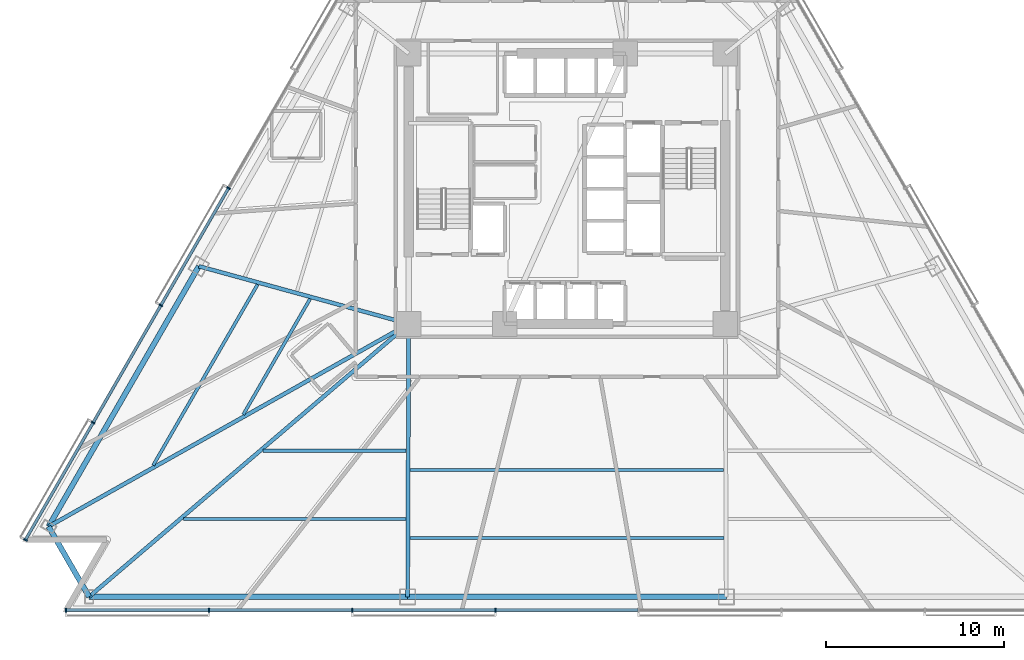
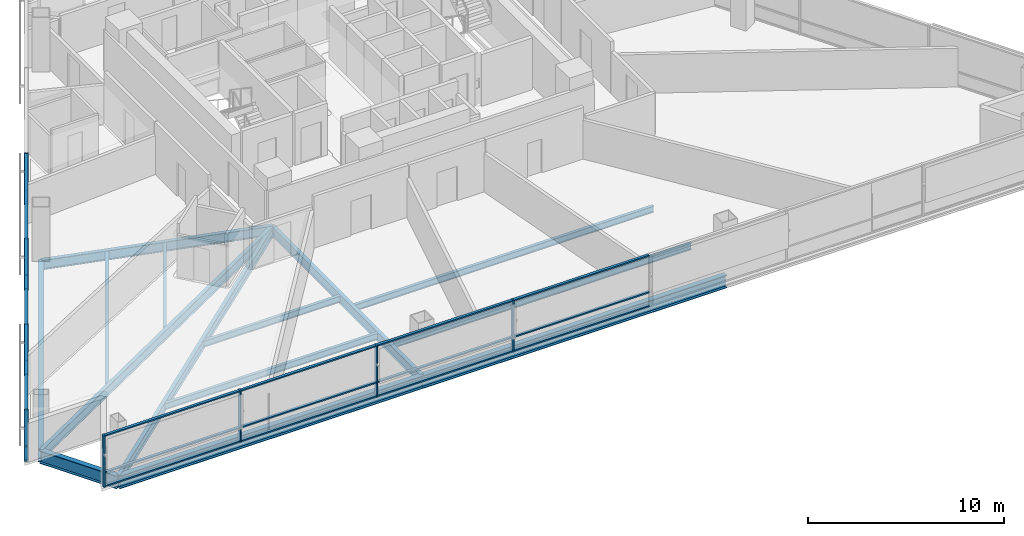
# One storey, part 2 of 16: 29 members, 14 beams, 2 elements without a shape of their own.
"""IFC4 building model written with IfcOpenShell, lengths in metres."""

from ifc_helpers import new_model, si_unit, direction, frame, origin, origin_2d, place, context, subcontext, project, spatial, rectangle, i_section, extrude, material, layer, layer_set, material_profile, profile_set, type_object, element, aggregate, save


model = new_model("IFC4")

# Units and contexts
model_context = context("Model", 3, precision=1e-05, world=origin(), true_north=direction((0.0, 1.0)))
body_context = subcontext(model_context, "Body", "Model", "MODEL_VIEW")
ifc_project = project(units=[si_unit("LENGTHUNIT", "METRE"), si_unit("AREAUNIT", "SQUARE_METRE"), si_unit("VOLUMEUNIT", "CUBIC_METRE"), si_unit("PLANEANGLEUNIT", "RADIAN"), si_unit("MASSUNIT", "GRAM", prefix="KILO")], contexts=[model_context])

# Site, building, storey
site_placement = place(None, origin())
site = spatial("IfcSite", under=ifc_project, at=site_placement, CompositionType="ELEMENT")
building_placement = place(site_placement, origin())
building = spatial("IfcBuilding", under=site, at=building_placement, Name="Tharavind Bronze Gate", CompositionType="ELEMENT")
storey_placement = place(building_placement, frame((0.0, 0.0, 45.449951171875)))
storey = spatial("IfcBuildingStorey", under=building, at=storey_placement, Name="L10", CompositionType="ELEMENT", Elevation=45.449951171875)

# Curtain wall, members
ifc_material_1 = material(Name="Anodised Bronze Aluminium", Category="aluminium")
ifc_layer = layer(ifc_material_1, 0.219970703125)
ifc_layer_set = layer_set([ifc_layer], Name="Anodised Bronze Aluminium")
curtain_wall_type = type_object("IfcCurtainWallType", Name="UNITISED CURTAIN WALL HOTEL", PredefinedType="USERDEFINED", material=ifc_layer_set)
curtain_wall_1_placement = place(storey_placement, origin())
curtain_wall_1 = element("IfcCurtainWall", 1, at=curtain_wall_1_placement, inside=storey, type_object=curtain_wall_type, Name="L10 unitised curtain wall hotel CW-L10-S1", ObjectType="UNITISED CURTAIN WALL", PredefinedType="USERDEFINED")
member_type_1 = type_object("IfcMemberType", Name="CURTAIN WALL MULLION 80X220", PredefinedType="MULLION", material=ifc_material_1)
member_1_placement = place(storey_placement, frame((-19.031982421875, 0.035888671875, 0.0), z_axis=(0.0, 0.0, 1.0), x_axis=(-0.500001511499, -0.866024531118, 0.0)))
member_1 = element("IfcMember", 2, at=member_1_placement, type_object=member_type_1, Name="CW-L10-S1 mullion 5", PredefinedType="MULLION", context=body_context, shape_type="SweptSolid", body=[
    extrude(rectangle(XDim=0.080078125, YDim=0.219970703125, at=origin_2d()), origin(), (0.0, 0.0, 1.0), 3.22509765625),
])
member_2_placement = place(storey_placement, frame((-22.83984375, -6.559814453125, 0.0), z_axis=(0.0, 0.0, 1.0), x_axis=(-0.500001511499, -0.866024531118, 0.0)))
member_2 = element("IfcMember", 3, at=member_2_placement, type_object=member_type_1, Name="CW-L10-S1 mullion 6", PredefinedType="MULLION", context=body_context, shape_type="SweptSolid", body=[
    extrude(rectangle(XDim=0.080078125, YDim=0.219970703125, at=origin_2d()), origin(), (0.0, 0.0, 1.0), 3.22509765625),
])
member_3_placement = place(storey_placement, frame((-26.647705078125, -13.1552734375, 0.0), z_axis=(0.0, 0.0, 1.0), x_axis=(-0.500001511499, -0.866024531118, 0.0)))
member_3 = element("IfcMember", 4, at=member_3_placement, type_object=member_type_1, Name="CW-L10-S1 mullion 7", PredefinedType="MULLION", context=body_context, shape_type="SweptSolid", body=[
    extrude(rectangle(XDim=0.080078125, YDim=0.219970703125, at=origin_2d()), origin(), (0.0, 0.0, 1.0), 3.22509765625),
])
member_4_placement = place(storey_placement, frame((-30.455810546875, -19.7509765625, 0.0), z_axis=(0.0, 0.0, 1.0), x_axis=(-0.500001511499, -0.866024531118, 0.0)))
member_4 = element("IfcMember", 5, at=member_4_placement, type_object=member_type_1, Name="CW-L10-S1 mullion 8", PredefinedType="MULLION", context=body_context, shape_type="SweptSolid", body=[
    extrude(rectangle(XDim=0.080078125, YDim=0.219970703125, at=origin_2d()), origin(), (0.0, 0.0, 1.0), 3.22509765625),
])

curtain_wall_2_placement = place(storey_placement, origin())
curtain_wall_2 = element("IfcCurtainWall", 6, at=curtain_wall_2_placement, inside=storey, type_object=curtain_wall_type, Name="L10 unitised curtain wall hotel CW-L10-S2", ObjectType="UNITISED CURTAIN WALL", PredefinedType="USERDEFINED")
member_5_placement = place(storey_placement, frame((-28.17578125, -23.699951171875, 0.0), z_axis=(0.0, 0.0, 1.0), x_axis=(1.0, 0.0, 0.0)))
member_5 = element("IfcMember", 7, at=member_5_placement, type_object=member_type_1, Name="CW-L10-S2 mullion 1", PredefinedType="MULLION", context=body_context, shape_type="SweptSolid", body=[
    extrude(rectangle(XDim=0.080078125, YDim=0.219970703125, at=origin_2d()), origin(), (0.0, 0.0, 1.0), 3.22509765625),
])
member_6_placement = place(storey_placement, frame((-20.12548828125, -23.699951171875, 0.0), z_axis=(0.0, 0.0, 1.0), x_axis=(1.0, 0.0, 0.0)))
member_6 = element("IfcMember", 8, at=member_6_placement, type_object=member_type_1, Name="CW-L10-S2 mullion 2", PredefinedType="MULLION", context=body_context, shape_type="SweptSolid", body=[
    extrude(rectangle(XDim=0.080078125, YDim=0.219970703125, at=origin_2d()), origin(), (0.0, 0.0, 1.0), 3.22509765625),
])
member_7_placement = place(storey_placement, frame((-12.0751953125, -23.699951171875, 0.0), z_axis=(0.0, 0.0, 1.0), x_axis=(1.0, 0.0, 0.0)))
member_7 = element("IfcMember", 9, at=member_7_placement, type_object=member_type_1, Name="CW-L10-S2 mullion 3", PredefinedType="MULLION", context=body_context, shape_type="SweptSolid", body=[
    extrude(rectangle(XDim=0.080078125, YDim=0.219970703125, at=origin_2d()), origin(), (0.0, 0.0, 1.0), 3.22509765625),
])
member_8_placement = place(storey_placement, frame((-4.025146484375, -23.699951171875, 0.0), z_axis=(0.0, 0.0, 1.0), x_axis=(1.0, 0.0, 0.0)))
member_8 = element("IfcMember", 10, at=member_8_placement, type_object=member_type_1, Name="CW-L10-S2 mullion 4", PredefinedType="MULLION", context=body_context, shape_type="SweptSolid", body=[
    extrude(rectangle(XDim=0.080078125, YDim=0.219970703125, at=origin_2d()), origin(), (0.0, 0.0, 1.0), 3.22509765625),
])

# Member
member_type_2 = type_object("IfcMemberType", Name="CURTAIN WALL TRANSOM 80X160", PredefinedType="USERDEFINED", material=ifc_material_1)
member_9_placement = place(storey_placement, frame((-20.935791015625, -3.261962890625, 0.0), z_axis=(0.0, 0.0, 1.0), x_axis=(-0.500001511499, -0.866024531118, 0.0)))
member_9 = element("IfcMember", 11, at=member_9_placement, type_object=member_type_2, Name="CW-L10-S1 transom TB5", ObjectType="TRANSOM", PredefinedType="USERDEFINED", context=body_context, shape_type="SweptSolid", body=[
    extrude(rectangle(XDim=7.5478515625, YDim=0.159912109375, at=origin_2d()), origin(), (0.0, 0.0, 1.0), 0.080078125),
])

member_10_placement = place(storey_placement, frame((-20.935791015625, -3.261962890625, 0.860107421875), z_axis=(0.0, 0.0, 1.0), x_axis=(-0.500001511499, -0.866024531118, 0.0)))
member_10 = element("IfcMember", 12, at=member_10_placement, type_object=member_type_2, Name="CW-L10-S1 transom TS5", ObjectType="TRANSOM", PredefinedType="USERDEFINED", context=body_context, shape_type="SweptSolid", body=[
    extrude(rectangle(XDim=7.5478515625, YDim=0.159912109375, at=origin_2d()), origin(), (0.0, 0.0, 1.0), 0.080078125),
])

member_11_placement = place(storey_placement, frame((-20.935791015625, -3.261962890625, 3.14501953125), z_axis=(0.0, 0.0, 1.0), x_axis=(-0.500001511499, -0.866024531118, 0.0)))
member_11 = element("IfcMember", 13, at=member_11_placement, type_object=member_type_2, Name="CW-L10-S1 transom TT5", ObjectType="TRANSOM", PredefinedType="USERDEFINED", context=body_context, shape_type="SweptSolid", body=[
    extrude(rectangle(XDim=7.5478515625, YDim=0.159912109375, at=origin_2d()), origin(), (0.0, 0.0, 1.0), 0.080078125),
])

member_12_placement = place(storey_placement, frame((-24.743896484375, -9.857421875, 0.0), z_axis=(0.0, 0.0, 1.0), x_axis=(-0.500001511499, -0.866024531118, 0.0)))
member_12 = element("IfcMember", 14, at=member_12_placement, type_object=member_type_2, Name="CW-L10-S1 transom TB6", ObjectType="TRANSOM", PredefinedType="USERDEFINED", context=body_context, shape_type="SweptSolid", body=[
    extrude(rectangle(XDim=7.5478515625, YDim=0.159912109375, at=origin_2d()), origin(), (0.0, 0.0, 1.0), 0.080078125),
])

member_13_placement = place(storey_placement, frame((-24.743896484375, -9.857421875, 0.860107421875), z_axis=(0.0, 0.0, 1.0), x_axis=(-0.500001511499, -0.866024531118, 0.0)))
member_13 = element("IfcMember", 15, at=member_13_placement, type_object=member_type_2, Name="CW-L10-S1 transom TS6", ObjectType="TRANSOM", PredefinedType="USERDEFINED", context=body_context, shape_type="SweptSolid", body=[
    extrude(rectangle(XDim=7.5478515625, YDim=0.159912109375, at=origin_2d()), origin(), (0.0, 0.0, 1.0), 0.080078125),
])

member_14_placement = place(storey_placement, frame((-24.743896484375, -9.857421875, 3.14501953125), z_axis=(0.0, 0.0, 1.0), x_axis=(-0.500001511499, -0.866024531118, 0.0)))
member_14 = element("IfcMember", 16, at=member_14_placement, type_object=member_type_2, Name="CW-L10-S1 transom TT6", ObjectType="TRANSOM", PredefinedType="USERDEFINED", context=body_context, shape_type="SweptSolid", body=[
    extrude(rectangle(XDim=7.5478515625, YDim=0.159912109375, at=origin_2d()), origin(), (0.0, 0.0, 1.0), 0.080078125),
])

member_15_placement = place(storey_placement, frame((-28.5517578125, -16.453125, 0.0), z_axis=(0.0, 0.0, 1.0), x_axis=(-0.500001511499, -0.866024531118, 0.0)))
member_15 = element("IfcMember", 17, at=member_15_placement, type_object=member_type_2, Name="CW-L10-S1 transom TB7", ObjectType="TRANSOM", PredefinedType="USERDEFINED", context=body_context, shape_type="SweptSolid", body=[
    extrude(rectangle(XDim=7.5478515625, YDim=0.159912109375, at=origin_2d()), origin(), (0.0, 0.0, 1.0), 0.080078125),
])

member_16_placement = place(storey_placement, frame((-28.5517578125, -16.453125, 0.860107421875), z_axis=(0.0, 0.0, 1.0), x_axis=(-0.500001511499, -0.866024531118, 0.0)))
member_16 = element("IfcMember", 18, at=member_16_placement, type_object=member_type_2, Name="CW-L10-S1 transom TS7", ObjectType="TRANSOM", PredefinedType="USERDEFINED", context=body_context, shape_type="SweptSolid", body=[
    extrude(rectangle(XDim=7.5478515625, YDim=0.159912109375, at=origin_2d()), origin(), (0.0, 0.0, 1.0), 0.080078125),
])

member_17_placement = place(storey_placement, frame((-28.5517578125, -16.453125, 3.14501953125), z_axis=(0.0, 0.0, 1.0), x_axis=(-0.500001511499, -0.866024531118, 0.0)))
member_17 = element("IfcMember", 19, at=member_17_placement, type_object=member_type_2, Name="CW-L10-S1 transom TT7", ObjectType="TRANSOM", PredefinedType="USERDEFINED", context=body_context, shape_type="SweptSolid", body=[
    extrude(rectangle(XDim=7.5478515625, YDim=0.159912109375, at=origin_2d()), origin(), (0.0, 0.0, 1.0), 0.080078125),
])

aggregate(curtain_wall_1, [member_1, member_2, member_3, member_4, member_9, member_10, member_11, member_12, member_13, member_14, member_15, member_16, member_17])

member_18_placement = place(storey_placement, frame((-24.150634765625, -23.699951171875, 0.0), z_axis=(0.0, 0.0, 1.0), x_axis=(1.0, 0.0, 0.0)))
member_18 = element("IfcMember", 20, at=member_18_placement, type_object=member_type_2, Name="CW-L10-S2 transom TB1", ObjectType="TRANSOM", PredefinedType="USERDEFINED", context=body_context, shape_type="SweptSolid", body=[
    extrude(rectangle(XDim=7.982177734375, YDim=0.159912109375, at=origin_2d()), origin(), (0.0, 0.0, 1.0), 0.080078125),
])

member_19_placement = place(storey_placement, frame((-24.150634765625, -23.699951171875, 0.860107421875), z_axis=(0.0, 0.0, 1.0), x_axis=(1.0, 0.0, 0.0)))
member_19 = element("IfcMember", 21, at=member_19_placement, type_object=member_type_2, Name="CW-L10-S2 transom TS1", ObjectType="TRANSOM", PredefinedType="USERDEFINED", context=body_context, shape_type="SweptSolid", body=[
    extrude(rectangle(XDim=7.982177734375, YDim=0.159912109375, at=origin_2d()), origin(), (0.0, 0.0, 1.0), 0.080078125),
])

member_20_placement = place(storey_placement, frame((-24.150634765625, -23.699951171875, 3.14501953125), z_axis=(0.0, 0.0, 1.0), x_axis=(1.0, 0.0, 0.0)))
member_20 = element("IfcMember", 22, at=member_20_placement, type_object=member_type_2, Name="CW-L10-S2 transom TT1", ObjectType="TRANSOM", PredefinedType="USERDEFINED", context=body_context, shape_type="SweptSolid", body=[
    extrude(rectangle(XDim=7.982177734375, YDim=0.159912109375, at=origin_2d()), origin(), (0.0, 0.0, 1.0), 0.080078125),
])

member_21_placement = place(storey_placement, frame((-16.1005859375, -23.699951171875, 0.0), z_axis=(0.0, 0.0, 1.0), x_axis=(1.0, 0.0, 0.0)))
member_21 = element("IfcMember", 23, at=member_21_placement, type_object=member_type_2, Name="CW-L10-S2 transom TB2", ObjectType="TRANSOM", PredefinedType="USERDEFINED", context=body_context, shape_type="SweptSolid", body=[
    extrude(rectangle(XDim=7.982177734375, YDim=0.159912109375, at=origin_2d()), origin(), (0.0, 0.0, 1.0), 0.080078125),
])

member_22_placement = place(storey_placement, frame((-16.1005859375, -23.699951171875, 0.860107421875), z_axis=(0.0, 0.0, 1.0), x_axis=(1.0, 0.0, 0.0)))
member_22 = element("IfcMember", 24, at=member_22_placement, type_object=member_type_2, Name="CW-L10-S2 transom TS2", ObjectType="TRANSOM", PredefinedType="USERDEFINED", context=body_context, shape_type="SweptSolid", body=[
    extrude(rectangle(XDim=7.982177734375, YDim=0.159912109375, at=origin_2d()), origin(), (0.0, 0.0, 1.0), 0.080078125),
])

member_23_placement = place(storey_placement, frame((-16.1005859375, -23.699951171875, 3.14501953125), z_axis=(0.0, 0.0, 1.0), x_axis=(1.0, 0.0, 0.0)))
member_23 = element("IfcMember", 25, at=member_23_placement, type_object=member_type_2, Name="CW-L10-S2 transom TT2", ObjectType="TRANSOM", PredefinedType="USERDEFINED", context=body_context, shape_type="SweptSolid", body=[
    extrude(rectangle(XDim=7.982177734375, YDim=0.159912109375, at=origin_2d()), origin(), (0.0, 0.0, 1.0), 0.080078125),
])

member_24_placement = place(storey_placement, frame((-8.05029296875, -23.699951171875, 0.0), z_axis=(0.0, 0.0, 1.0), x_axis=(1.0, 0.0, 0.0)))
member_24 = element("IfcMember", 26, at=member_24_placement, type_object=member_type_2, Name="CW-L10-S2 transom TB3", ObjectType="TRANSOM", PredefinedType="USERDEFINED", context=body_context, shape_type="SweptSolid", body=[
    extrude(rectangle(XDim=7.982177734375, YDim=0.159912109375, at=origin_2d()), origin(), (0.0, 0.0, 1.0), 0.080078125),
])

member_25_placement = place(storey_placement, frame((-8.05029296875, -23.699951171875, 0.860107421875), z_axis=(0.0, 0.0, 1.0), x_axis=(1.0, 0.0, 0.0)))
member_25 = element("IfcMember", 27, at=member_25_placement, type_object=member_type_2, Name="CW-L10-S2 transom TS3", ObjectType="TRANSOM", PredefinedType="USERDEFINED", context=body_context, shape_type="SweptSolid", body=[
    extrude(rectangle(XDim=7.982177734375, YDim=0.159912109375, at=origin_2d()), origin(), (0.0, 0.0, 1.0), 0.080078125),
])

member_26_placement = place(storey_placement, frame((-8.05029296875, -23.699951171875, 3.14501953125), z_axis=(0.0, 0.0, 1.0), x_axis=(1.0, 0.0, 0.0)))
member_26 = element("IfcMember", 28, at=member_26_placement, type_object=member_type_2, Name="CW-L10-S2 transom TT3", ObjectType="TRANSOM", PredefinedType="USERDEFINED", context=body_context, shape_type="SweptSolid", body=[
    extrude(rectangle(XDim=7.982177734375, YDim=0.159912109375, at=origin_2d()), origin(), (0.0, 0.0, 1.0), 0.080078125),
])

member_27_placement = place(storey_placement, frame((0.0, -23.699951171875, 0.0), z_axis=(0.0, 0.0, 1.0), x_axis=(1.0, 0.0, 0.0)))
member_27 = element("IfcMember", 29, at=member_27_placement, type_object=member_type_2, Name="CW-L10-S2 transom TB4", ObjectType="TRANSOM", PredefinedType="USERDEFINED", context=body_context, shape_type="SweptSolid", body=[
    extrude(rectangle(XDim=7.982177734375, YDim=0.159912109375, at=origin_2d()), origin(), (0.0, 0.0, 1.0), 0.080078125),
])

member_28_placement = place(storey_placement, frame((0.0, -23.699951171875, 0.860107421875), z_axis=(0.0, 0.0, 1.0), x_axis=(1.0, 0.0, 0.0)))
member_28 = element("IfcMember", 30, at=member_28_placement, type_object=member_type_2, Name="CW-L10-S2 transom TS4", ObjectType="TRANSOM", PredefinedType="USERDEFINED", context=body_context, shape_type="SweptSolid", body=[
    extrude(rectangle(XDim=7.982177734375, YDim=0.159912109375, at=origin_2d()), origin(), (0.0, 0.0, 1.0), 0.080078125),
])

member_29_placement = place(storey_placement, frame((0.0, -23.699951171875, 3.14501953125), z_axis=(0.0, 0.0, 1.0), x_axis=(1.0, 0.0, 0.0)))
member_29 = element("IfcMember", 31, at=member_29_placement, type_object=member_type_2, Name="CW-L10-S2 transom TT4", ObjectType="TRANSOM", PredefinedType="USERDEFINED", context=body_context, shape_type="SweptSolid", body=[
    extrude(rectangle(XDim=7.982177734375, YDim=0.159912109375, at=origin_2d()), origin(), (0.0, 0.0, 1.0), 0.080078125),
])

aggregate(curtain_wall_2, [member_5, member_6, member_7, member_8, member_18, member_19, member_20, member_21, member_22, member_23, member_24, member_25, member_26, member_27, member_28, member_29])

# Beams
ifc_material_2 = material(Name="Steel S355", Category="steel")
ifc_material_profile_1 = material_profile(ifc_material_2, i_section(OverallWidth=0.219970703125, OverallDepth=0.60009765625, WebThickness=0.011962890625, FlangeThickness=0.01904296875, at=origin_2d()), Name="IPE600")
ifc_profile_set_1 = profile_set([ifc_material_profile_1], Name="Steel S355")
beam_type_1 = type_object("IfcBeamType", Name="PRIMARY GIRDER IPE600", PredefinedType="USERDEFINED", material=ifc_profile_set_1)
beam_1_placement = place(storey_placement, frame((-20.70458984375, -4.361083984375, -0.474853515625), z_axis=(0.96435718827, -0.264603880228, 0.0), x_axis=(0.264603880228, 0.96435718827, 0.0)))
element("IfcBeam", 32, at=beam_1_placement, inside=storey, type_object=beam_type_1, Name="L10 primary girder ipe600 BM-L10-RAD03", ObjectType="GIRDER", PredefinedType="USERDEFINED", context=body_context, shape_type="SweptSolid", body=[
    extrude(i_section(OverallWidth=0.219970703125, OverallDepth=0.60009765625, WebThickness=0.011962890625, FlangeThickness=0.01904296875, at=origin_2d()), origin(), (0.0, 0.0, 1.0), 12.240966796875),
])
beam_2_placement = place(storey_placement, frame((-29.15673828125, -19.0009765625, -0.474853515625), z_axis=(0.871457703454, 0.490470662824, 0.0), x_axis=(-0.490470662824, 0.871457703454, 0.0)))
element("IfcBeam", 33, at=beam_2_placement, inside=storey, type_object=beam_type_1, Name="L10 primary girder ipe600 BM-L10-RAD04", ObjectType="GIRDER", PredefinedType="USERDEFINED", context=body_context, shape_type="SweptSolid", body=[
    extrude(i_section(OverallWidth=0.219970703125, OverallDepth=0.60009765625, WebThickness=0.011962890625, FlangeThickness=0.01904296875, at=origin_2d()), origin(), (0.0, 0.0, 1.0), 23.244873046875),
])
beam_3_placement = place(storey_placement, frame((-26.876708984375, -22.949951171875, -0.474853515625), z_axis=(0.76048513475, 0.649355341723, 0.0), x_axis=(-0.649355341723, 0.76048513475, 0.0)))
element("IfcBeam", 34, at=beam_3_placement, inside=storey, type_object=beam_type_1, Name="L10 primary girder ipe600 BM-L10-RAD05", ObjectType="GIRDER", PredefinedType="USERDEFINED", context=body_context, shape_type="SweptSolid", body=[
    extrude(i_section(OverallWidth=0.219970703125, OverallDepth=0.60009765625, WebThickness=0.011962890625, FlangeThickness=0.01904296875, at=origin_2d()), origin(), (0.0, 0.0, 1.0), 23.638671875),
])
beam_4_placement = place(storey_placement, frame((-8.958984375, -22.949951171875, -0.474853515625), z_axis=(0.003849000484, 0.99999259257, 0.0), x_axis=(-0.99999259257, 0.003849000484, 0.0)))
element("IfcBeam", 35, at=beam_4_placement, inside=storey, type_object=beam_type_1, Name="L10 primary girder ipe600 BM-L10-RAD06", ObjectType="GIRDER", PredefinedType="USERDEFINED", context=body_context, shape_type="SweptSolid", body=[
    extrude(i_section(OverallWidth=0.219970703125, OverallDepth=0.60009765625, WebThickness=0.011962890625, FlangeThickness=0.01904296875, at=origin_2d()), origin(), (0.0, 0.0, 1.0), 15.349853515625),
])
ifc_material_profile_2 = material_profile(ifc_material_2, i_section(OverallWidth=0.300048828125, OverallDepth=0.800048828125, WebThickness=0.017578125, FlangeThickness=0.032958984375, at=origin_2d()), Name="HE800B")
ifc_profile_set_2 = profile_set([ifc_material_profile_2], Name="Steel S355")
beam_type_2 = type_object("IfcBeamType", Name="RING GIRDER HE800B", PredefinedType="USERDEFINED", material=ifc_profile_set_2)
beam_5_placement = place(storey_placement, frame((-20.70458984375, -4.361083984375, -0.574951171875), z_axis=(-0.4999912383, -0.866030462295, 0.0), x_axis=(0.866030462295, -0.4999912383, 0.0)))
element("IfcBeam", 36, at=beam_5_placement, inside=storey, type_object=beam_type_2, Name="L10 ring girder he800b BM-L10-PRG03", ObjectType="GIRDER", PredefinedType="USERDEFINED", context=body_context, shape_type="SweptSolid", body=[
    extrude(i_section(OverallWidth=0.300048828125, OverallDepth=0.800048828125, WebThickness=0.017578125, FlangeThickness=0.032958984375, at=origin_2d()), origin(), (0.0, 0.0, 1.0), 16.904541015625),
])
beam_6_placement = place(storey_placement, frame((-29.15673828125, -19.0009765625, -0.574951171875), z_axis=(0.500014431597, -0.866017071537, 0.0), x_axis=(0.866017071537, 0.500014431597, 0.0)))
element("IfcBeam", 37, at=beam_6_placement, inside=storey, type_object=beam_type_2, Name="L10 ring girder he800b BM-L10-PRG04", ObjectType="GIRDER", PredefinedType="USERDEFINED", context=body_context, shape_type="SweptSolid", body=[
    extrude(i_section(OverallWidth=0.300048828125, OverallDepth=0.800048828125, WebThickness=0.017578125, FlangeThickness=0.032958984375, at=origin_2d()), origin(), (0.0, 0.0, 1.0), 4.559814453125),
])
beam_7_placement = place(storey_placement, frame((-26.876708984375, -22.949951171875, -0.574951171875), z_axis=(1.0, 0.0, 0.0), x_axis=(0.0, 1.0, 0.0)))
element("IfcBeam", 38, at=beam_7_placement, inside=storey, type_object=beam_type_2, Name="L10 ring girder he800b BM-L10-PRG05", ObjectType="GIRDER", PredefinedType="USERDEFINED", context=body_context, shape_type="SweptSolid", body=[
    extrude(i_section(OverallWidth=0.300048828125, OverallDepth=0.800048828125, WebThickness=0.017578125, FlangeThickness=0.032958984375, at=origin_2d()), origin(), (0.0, 0.0, 1.0), 17.917724609375),
])
beam_8_placement = place(storey_placement, frame((-8.958984375, -22.949951171875, -0.574951171875), z_axis=(1.0, 0.0, 0.0), x_axis=(0.0, 1.0, 0.0)))
element("IfcBeam", 39, at=beam_8_placement, inside=storey, type_object=beam_type_2, Name="L10 ring girder he800b BM-L10-PRG06", ObjectType="GIRDER", PredefinedType="USERDEFINED", context=body_context, shape_type="SweptSolid", body=[
    extrude(i_section(OverallWidth=0.300048828125, OverallDepth=0.800048828125, WebThickness=0.017578125, FlangeThickness=0.032958984375, at=origin_2d()), origin(), (0.0, 0.0, 1.0), 17.91796875),
])
ifc_material_profile_3 = material_profile(ifc_material_2, i_section(OverallWidth=0.179931640625, OverallDepth=0.39990234375, WebThickness=0.008544921875, FlangeThickness=0.013427734375, at=origin_2d()), Name="IPE400")
ifc_profile_set_3 = profile_set([ifc_material_profile_3], Name="Steel S355")
beam_type_3 = type_object("IfcBeamType", Name="SECONDARY FLOOR JOIST IPE400", PredefinedType="JOIST", material=ifc_profile_set_3)
beam_9_placement = place(storey_placement, frame((-14.447998046875, -6.19580078125, -0.375), z_axis=(-0.499995879736, -0.866027782607, 0.0), x_axis=(0.866027782607, -0.499995879736, 0.0)))
element("IfcBeam", 40, at=beam_9_placement, inside=storey, type_object=beam_type_3, Name="L10 secondary floor joist ipe400 BM-L10-JSTA03", PredefinedType="JOIST", context=body_context, shape_type="SweptSolid", body=[
    extrude(i_section(OverallWidth=0.179931640625, OverallDepth=0.39990234375, WebThickness=0.008544921875, FlangeThickness=0.013427734375, at=origin_2d()), origin(), (0.0, 0.0, 1.0), 7.52294921875),
])
beam_10_placement = place(storey_placement, frame((-17.399169921875, -5.38623046875, -0.375), z_axis=(-0.499996459651, -0.866027447796, 0.0), x_axis=(0.866027447796, -0.499996459651, 0.0)))
element("IfcBeam", 41, at=beam_10_placement, inside=storey, type_object=beam_type_3, Name="L10 secondary floor joist ipe400 BM-L10-JSTB03", PredefinedType="JOIST", context=body_context, shape_type="SweptSolid", body=[
    extrude(i_section(OverallWidth=0.179931640625, OverallDepth=0.39990234375, WebThickness=0.008544921875, FlangeThickness=0.013427734375, at=origin_2d()), origin(), (0.0, 0.0, 1.0), 11.7490234375),
])
beam_11_placement = place(storey_placement, frame((-17.085693359375, -14.73779296875, -0.375), z_axis=(1.0, 0.0, 0.0), x_axis=(0.0, 1.0, 0.0)))
element("IfcBeam", 42, at=beam_11_placement, inside=storey, type_object=beam_type_3, Name="L10 secondary floor joist ipe400 BM-L10-JSTA05", PredefinedType="JOIST", context=body_context, shape_type="SweptSolid", body=[
    extrude(i_section(OverallWidth=0.179931640625, OverallDepth=0.39990234375, WebThickness=0.008544921875, FlangeThickness=0.013427734375, at=origin_2d()), origin(), (0.0, 0.0, 1.0), 8.044189453125),
])
beam_12_placement = place(storey_placement, frame((-21.580078125, -18.5751953125, -0.375), z_axis=(1.0, 0.0, 0.0), x_axis=(0.0, 1.0, 0.0)))
element("IfcBeam", 43, at=beam_12_placement, inside=storey, type_object=beam_type_3, Name="L10 secondary floor joist ipe400 BM-L10-JSTB05", PredefinedType="JOIST", context=body_context, shape_type="SweptSolid", body=[
    extrude(i_section(OverallWidth=0.179931640625, OverallDepth=0.39990234375, WebThickness=0.008544921875, FlangeThickness=0.013427734375, at=origin_2d()), origin(), (0.0, 0.0, 1.0), 12.52392578125),
])
beam_13_placement = place(storey_placement, frame((-8.8173828125, -15.812255859375, -0.375), z_axis=(1.0, 0.0, 0.0), x_axis=(0.0, 1.0, 0.0)))
element("IfcBeam", 44, at=beam_13_placement, inside=storey, type_object=beam_type_3, Name="L10 secondary floor joist ipe400 BM-L10-JSTA06", PredefinedType="JOIST", context=body_context, shape_type="SweptSolid", body=[
    extrude(i_section(OverallWidth=0.179931640625, OverallDepth=0.39990234375, WebThickness=0.008544921875, FlangeThickness=0.013427734375, at=origin_2d()), origin(), (0.0, 0.0, 1.0), 17.634765625),
])
beam_14_placement = place(storey_placement, frame((-8.832275390625, -19.64990234375, -0.375), z_axis=(1.0, 0.0, 0.0), x_axis=(0.0, 1.0, 0.0)))
element("IfcBeam", 45, at=beam_14_placement, inside=storey, type_object=beam_type_3, Name="L10 secondary floor joist ipe400 BM-L10-JSTB06", PredefinedType="JOIST", context=body_context, shape_type="SweptSolid", body=[
    extrude(i_section(OverallWidth=0.179931640625, OverallDepth=0.39990234375, WebThickness=0.008544921875, FlangeThickness=0.013427734375, at=origin_2d()), origin(), (0.0, 0.0, 1.0), 17.66455078125),
])

save(model, "model.ifc")
